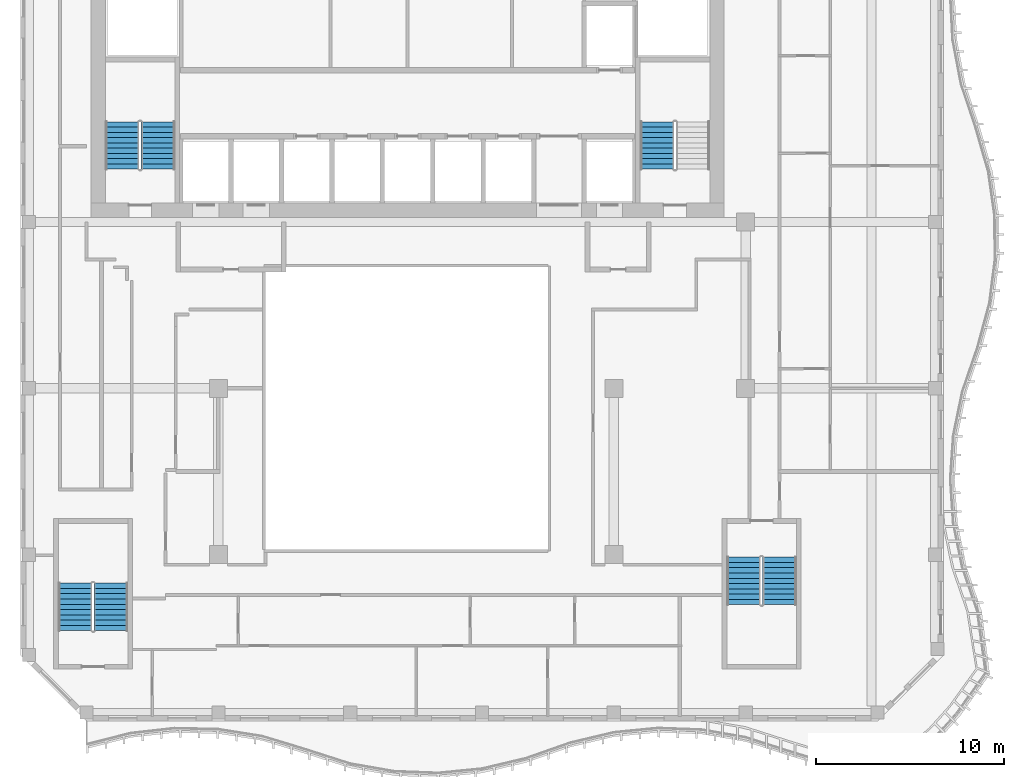
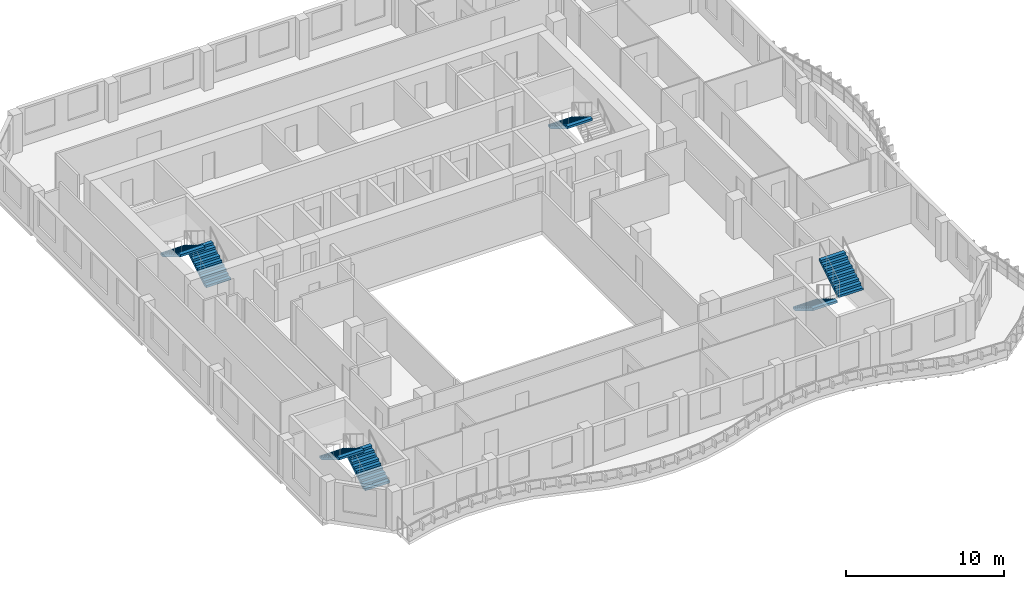
# One storey, part 9 of 13: 7 stair flights, 4 elements without a shape of their own.
"""IFC4 building model written with IfcOpenShell, lengths in metres."""

from ifc_helpers import new_model, si_unit, direction, frame, origin, place, context, subcontext, project, spatial, triangles, source, transform, mapped, material, type_object, element, aggregate, save


model = new_model("IFC4")

# Units and contexts
model_context = context("Model", 3, precision=1e-05, world=origin(), true_north=direction((0.0, 1.0)))
body_context = subcontext(model_context, "Body", "Model", "MODEL_VIEW")
ifc_project = project(units=[si_unit("LENGTHUNIT", "METRE"), si_unit("AREAUNIT", "SQUARE_METRE"), si_unit("VOLUMEUNIT", "CUBIC_METRE"), si_unit("PLANEANGLEUNIT", "RADIAN"), si_unit("MASSUNIT", "GRAM", prefix="KILO")], contexts=[model_context])

# Site, building, storey
site_placement = place(None, origin())
site = spatial("IfcSite", under=ifc_project, at=site_placement, CompositionType="ELEMENT")
building_placement = place(site_placement, origin())
building = spatial("IfcBuilding", under=site, at=building_placement, Name="Kilnfold Tower and Market Hall", CompositionType="ELEMENT")
storey_placement = place(building_placement, frame((0.0, 0.0, 259.39990234375)))
storey = spatial("IfcBuildingStorey", under=building, at=storey_placement, Name="L63", CompositionType="ELEMENT", Elevation=259.39990234375)

# Stair, stair flights
ifc_material_1 = material(Name="Concrete C40/50", Category="concrete")
stair_type = type_object("IfcStairType", Name="CORE STAIR 1800", PredefinedType="HALF_TURN_STAIR", material=ifc_material_1)
stair_1_placement = place(storey_placement, origin())
stair_1 = element("IfcStair", 1, at=stair_1_placement, inside=storey, type_object=stair_type, Name="L63 ST1", PredefinedType="HALF_TURN_STAIR")
ifc_material_2 = material(Name="Concrete C40/50", Category="concrete")
stair_flight_type = type_object("IfcStairFlightType", Name="CORE STAIR FLIGHT 1800", PredefinedType="STRAIGHT", material=ifc_material_2)
shared_shape = source(origin(), body_context, "Body", "Tessellation", [
    triangles([(0.0, 0.89990234375, 0.0), (0.0, 0.78759765625, 0.0), (0.0, 0.675048828125, 0.0), (0.0, 0.5625, 0.0), (0.0, 0.449951171875, 0.0), (0.0, 0.33740234375, 0.0), (0.0, 0.22509765625, 0.0), (0.0, 0.112548828125, 0.0), (0.0, 0.0, 0.0), (0.0, -0.112548828125, 0.0), (0.0, -0.22509765625, 0.0), (0.0, -0.33740234375, 0.0), (0.0, -0.449951171875, 0.0), (0.0, -0.5625, 0.0), (0.0, -0.675048828125, 0.0), (0.0, -0.78759765625, 0.0), (0.0, -0.89990234375, 0.0), (0.0, 0.89990234375, 0.169921875), (0.0, 0.78759765625, 0.169921875), (0.0, 0.675048828125, 0.169921875), (0.0, 0.5625, 0.169921875), (0.0, 0.449951171875, 0.169921875), (0.0, 0.33740234375, 0.169921875), (0.0, 0.22509765625, 0.169921875), (0.0, 0.112548828125, 0.169921875), (0.0, 0.0, 0.169921875), (0.0, -0.112548828125, 0.169921875), (0.0, -0.22509765625, 0.169921875), (0.0, -0.33740234375, 0.169921875), (0.0, -0.449951171875, 0.169921875), (0.0, -0.5625, 0.169921875), (0.0, -0.675048828125, 0.169921875), (0.0, -0.78759765625, 0.169921875), (0.0, -0.89990234375, 0.169921875), (0.280029296875, 0.89990234375, 0.169921875), (0.280029296875, 0.78759765625, 0.169921875), (0.280029296875, 0.675048828125, 0.169921875), (0.280029296875, 0.5625, 0.169921875), (0.280029296875, 0.449951171875, 0.169921875), (0.280029296875, 0.33740234375, 0.169921875), (0.280029296875, 0.22509765625, 0.169921875), (0.280029296875, 0.112548828125, 0.169921875), (0.280029296875, 0.0, 0.169921875), (0.280029296875, -0.112548828125, 0.169921875), (0.280029296875, -0.22509765625, 0.169921875), (0.280029296875, -0.33740234375, 0.169921875), (0.280029296875, -0.449951171875, 0.169921875), (0.280029296875, -0.5625, 0.169921875), (0.280029296875, -0.675048828125, 0.169921875), (0.280029296875, -0.78759765625, 0.169921875), (0.280029296875, -0.89990234375, 0.169921875), (0.280029296875, 0.89990234375, 0.340087890625), (0.280029296875, 0.78759765625, 0.340087890625), (0.280029296875, 0.675048828125, 0.340087890625), (0.280029296875, 0.5625, 0.340087890625), (0.280029296875, 0.449951171875, 0.340087890625), (0.280029296875, 0.33740234375, 0.340087890625), (0.280029296875, 0.22509765625, 0.340087890625), (0.280029296875, 0.112548828125, 0.340087890625), (0.280029296875, 0.0, 0.340087890625), (0.280029296875, -0.112548828125, 0.340087890625), (0.280029296875, -0.22509765625, 0.340087890625), (0.280029296875, -0.33740234375, 0.340087890625), (0.280029296875, -0.449951171875, 0.340087890625), (0.280029296875, -0.5625, 0.340087890625), (0.280029296875, -0.675048828125, 0.340087890625), (0.280029296875, -0.78759765625, 0.340087890625), (0.280029296875, -0.89990234375, 0.340087890625), (0.56005859375, 0.89990234375, 0.340087890625), (0.56005859375, 0.78759765625, 0.340087890625), (0.56005859375, 0.675048828125, 0.340087890625), (0.56005859375, 0.5625, 0.340087890625), (0.56005859375, 0.449951171875, 0.340087890625), (0.56005859375, 0.33740234375, 0.340087890625), (0.56005859375, 0.22509765625, 0.340087890625), (0.56005859375, 0.112548828125, 0.340087890625), (0.56005859375, 0.0, 0.340087890625), (0.56005859375, -0.112548828125, 0.340087890625), (0.56005859375, -0.22509765625, 0.340087890625), (0.56005859375, -0.33740234375, 0.340087890625), (0.56005859375, -0.449951171875, 0.340087890625), (0.56005859375, -0.5625, 0.340087890625), (0.56005859375, -0.675048828125, 0.340087890625), (0.56005859375, -0.78759765625, 0.340087890625), (0.56005859375, -0.89990234375, 0.340087890625), (0.56005859375, 0.89990234375, 0.510009765625), (0.56005859375, 0.78759765625, 0.510009765625), (0.56005859375, 0.675048828125, 0.510009765625), (0.56005859375, 0.5625, 0.510009765625), (0.56005859375, 0.449951171875, 0.510009765625), (0.56005859375, 0.33740234375, 0.510009765625), (0.56005859375, 0.22509765625, 0.510009765625), (0.56005859375, 0.112548828125, 0.510009765625), (0.56005859375, 0.0, 0.510009765625), (0.56005859375, -0.112548828125, 0.510009765625), (0.56005859375, -0.22509765625, 0.510009765625), (0.56005859375, -0.33740234375, 0.510009765625), (0.56005859375, -0.449951171875, 0.510009765625), (0.56005859375, -0.5625, 0.510009765625), (0.56005859375, -0.675048828125, 0.510009765625), (0.56005859375, -0.78759765625, 0.510009765625), (0.56005859375, -0.89990234375, 0.510009765625), (0.840087890625, 0.89990234375, 0.510009765625), (0.840087890625, 0.78759765625, 0.510009765625), (0.840087890625, 0.675048828125, 0.510009765625), (0.840087890625, 0.5625, 0.510009765625), (0.840087890625, 0.449951171875, 0.510009765625), (0.840087890625, 0.33740234375, 0.510009765625), (0.840087890625, 0.22509765625, 0.510009765625), (0.840087890625, 0.112548828125, 0.510009765625), (0.840087890625, 0.0, 0.510009765625), (0.840087890625, -0.112548828125, 0.510009765625), (0.840087890625, -0.22509765625, 0.510009765625), (0.840087890625, -0.33740234375, 0.510009765625), (0.840087890625, -0.449951171875, 0.510009765625), (0.840087890625, -0.5625, 0.510009765625), (0.840087890625, -0.675048828125, 0.510009765625), (0.840087890625, -0.78759765625, 0.510009765625), (0.840087890625, -0.89990234375, 0.510009765625), (0.840087890625, 0.89990234375, 0.679931640625), (0.840087890625, 0.78759765625, 0.679931640625), (0.840087890625, 0.675048828125, 0.679931640625), (0.840087890625, 0.5625, 0.679931640625), (0.840087890625, 0.449951171875, 0.679931640625), (0.840087890625, 0.33740234375, 0.679931640625), (0.840087890625, 0.22509765625, 0.679931640625), (0.840087890625, 0.112548828125, 0.679931640625), (0.840087890625, 0.0, 0.679931640625), (0.840087890625, -0.112548828125, 0.679931640625), (0.840087890625, -0.22509765625, 0.679931640625), (0.840087890625, -0.33740234375, 0.679931640625), (0.840087890625, -0.449951171875, 0.679931640625), (0.840087890625, -0.5625, 0.679931640625), (0.840087890625, -0.675048828125, 0.679931640625), (0.840087890625, -0.78759765625, 0.679931640625), (0.840087890625, -0.89990234375, 0.679931640625), (1.1201171875, 0.89990234375, 0.679931640625), (1.1201171875, 0.78759765625, 0.679931640625), (1.1201171875, 0.675048828125, 0.679931640625), (1.1201171875, 0.5625, 0.679931640625), (1.1201171875, 0.449951171875, 0.679931640625), (1.1201171875, 0.33740234375, 0.679931640625), (1.1201171875, 0.22509765625, 0.679931640625), (1.1201171875, 0.112548828125, 0.679931640625), (1.1201171875, 0.0, 0.679931640625), (1.1201171875, -0.112548828125, 0.679931640625), (1.1201171875, -0.22509765625, 0.679931640625), (1.1201171875, -0.33740234375, 0.679931640625), (1.1201171875, -0.449951171875, 0.679931640625), (1.1201171875, -0.5625, 0.679931640625), (1.1201171875, -0.675048828125, 0.679931640625), (1.1201171875, -0.78759765625, 0.679931640625), (1.1201171875, -0.89990234375, 0.679931640625), (1.1201171875, 0.89990234375, 0.85009765625), (1.1201171875, 0.78759765625, 0.85009765625), (1.1201171875, 0.675048828125, 0.85009765625), (1.1201171875, 0.5625, 0.85009765625), (1.1201171875, 0.449951171875, 0.85009765625), (1.1201171875, 0.33740234375, 0.85009765625), (1.1201171875, 0.22509765625, 0.85009765625), (1.1201171875, 0.112548828125, 0.85009765625), (1.1201171875, 0.0, 0.85009765625), (1.1201171875, -0.112548828125, 0.85009765625), (1.1201171875, -0.22509765625, 0.85009765625), (1.1201171875, -0.33740234375, 0.85009765625), (1.1201171875, -0.449951171875, 0.85009765625), (1.1201171875, -0.5625, 0.85009765625), (1.1201171875, -0.675048828125, 0.85009765625), (1.1201171875, -0.78759765625, 0.85009765625), (1.1201171875, -0.89990234375, 0.85009765625), (1.39990234375, 0.89990234375, 0.85009765625), (1.39990234375, 0.78759765625, 0.85009765625), (1.39990234375, 0.675048828125, 0.85009765625), (1.39990234375, 0.5625, 0.85009765625), (1.39990234375, 0.449951171875, 0.85009765625), (1.39990234375, 0.33740234375, 0.85009765625), (1.39990234375, 0.22509765625, 0.85009765625), (1.39990234375, 0.112548828125, 0.85009765625), (1.39990234375, 0.0, 0.85009765625), (1.39990234375, -0.112548828125, 0.85009765625), (1.39990234375, -0.22509765625, 0.85009765625), (1.39990234375, -0.33740234375, 0.85009765625), (1.39990234375, -0.449951171875, 0.85009765625), (1.39990234375, -0.5625, 0.85009765625), (1.39990234375, -0.675048828125, 0.85009765625), (1.39990234375, -0.78759765625, 0.85009765625), (1.39990234375, -0.89990234375, 0.85009765625), (1.39990234375, 0.89990234375, 1.02001953125), (1.39990234375, 0.78759765625, 1.02001953125), (1.39990234375, 0.675048828125, 1.02001953125), (1.39990234375, 0.5625, 1.02001953125), (1.39990234375, 0.449951171875, 1.02001953125), (1.39990234375, 0.33740234375, 1.02001953125), (1.39990234375, 0.22509765625, 1.02001953125), (1.39990234375, 0.112548828125, 1.02001953125), (1.39990234375, 0.0, 1.02001953125), (1.39990234375, -0.112548828125, 1.02001953125), (1.39990234375, -0.22509765625, 1.02001953125), (1.39990234375, -0.33740234375, 1.02001953125), (1.39990234375, -0.449951171875, 1.02001953125), (1.39990234375, -0.5625, 1.02001953125), (1.39990234375, -0.675048828125, 1.02001953125), (1.39990234375, -0.78759765625, 1.02001953125), (1.39990234375, -0.89990234375, 1.02001953125), (1.679931640625, 0.89990234375, 1.02001953125), (1.679931640625, 0.78759765625, 1.02001953125), (1.679931640625, 0.675048828125, 1.02001953125), (1.679931640625, 0.5625, 1.02001953125), (1.679931640625, 0.449951171875, 1.02001953125), (1.679931640625, 0.33740234375, 1.02001953125), (1.679931640625, 0.22509765625, 1.02001953125), (1.679931640625, 0.112548828125, 1.02001953125), (1.679931640625, 0.0, 1.02001953125), (1.679931640625, -0.112548828125, 1.02001953125), (1.679931640625, -0.22509765625, 1.02001953125), (1.679931640625, -0.33740234375, 1.02001953125), (1.679931640625, -0.449951171875, 1.02001953125), (1.679931640625, -0.5625, 1.02001953125), (1.679931640625, -0.675048828125, 1.02001953125), (1.679931640625, -0.78759765625, 1.02001953125), (1.679931640625, -0.89990234375, 1.02001953125), (1.679931640625, 0.89990234375, 1.18994140625), (1.679931640625, 0.78759765625, 1.18994140625), (1.679931640625, 0.675048828125, 1.18994140625), (1.679931640625, 0.5625, 1.18994140625), (1.679931640625, 0.449951171875, 1.18994140625), (1.679931640625, 0.33740234375, 1.18994140625), (1.679931640625, 0.22509765625, 1.18994140625), (1.679931640625, 0.112548828125, 1.18994140625), (1.679931640625, 0.0, 1.18994140625), (1.679931640625, -0.112548828125, 1.18994140625), (1.679931640625, -0.22509765625, 1.18994140625), (1.679931640625, -0.33740234375, 1.18994140625), (1.679931640625, -0.449951171875, 1.18994140625), (1.679931640625, -0.5625, 1.18994140625), (1.679931640625, -0.675048828125, 1.18994140625), (1.679931640625, -0.78759765625, 1.18994140625), (1.679931640625, -0.89990234375, 1.18994140625), (1.9599609375, 0.89990234375, 1.18994140625), (1.9599609375, 0.78759765625, 1.18994140625), (1.9599609375, 0.675048828125, 1.18994140625), (1.9599609375, 0.5625, 1.18994140625), (1.9599609375, 0.449951171875, 1.18994140625), (1.9599609375, 0.33740234375, 1.18994140625), (1.9599609375, 0.22509765625, 1.18994140625), (1.9599609375, 0.112548828125, 1.18994140625), (1.9599609375, 0.0, 1.18994140625), (1.9599609375, -0.112548828125, 1.18994140625), (1.9599609375, -0.22509765625, 1.18994140625), (1.9599609375, -0.33740234375, 1.18994140625), (1.9599609375, -0.449951171875, 1.18994140625), (1.9599609375, -0.5625, 1.18994140625), (1.9599609375, -0.675048828125, 1.18994140625), (1.9599609375, -0.78759765625, 1.18994140625), (1.9599609375, -0.89990234375, 1.18994140625), (1.9599609375, 0.89990234375, 1.360107421875), (1.9599609375, 0.78759765625, 1.360107421875), (1.9599609375, 0.675048828125, 1.360107421875), (1.9599609375, 0.5625, 1.360107421875), (1.9599609375, 0.449951171875, 1.360107421875), (1.9599609375, 0.33740234375, 1.360107421875), (1.9599609375, 0.22509765625, 1.360107421875), (1.9599609375, 0.112548828125, 1.360107421875), (1.9599609375, 0.0, 1.360107421875), (1.9599609375, -0.112548828125, 1.360107421875), (1.9599609375, -0.22509765625, 1.360107421875), (1.9599609375, -0.33740234375, 1.360107421875), (1.9599609375, -0.449951171875, 1.360107421875), (1.9599609375, -0.5625, 1.360107421875), (1.9599609375, -0.675048828125, 1.360107421875), (1.9599609375, -0.78759765625, 1.360107421875), (1.9599609375, -0.89990234375, 1.360107421875), (2.239990234375, 0.89990234375, 1.360107421875), (2.239990234375, 0.78759765625, 1.360107421875), (2.239990234375, 0.675048828125, 1.360107421875), (2.239990234375, 0.5625, 1.360107421875), (2.239990234375, 0.449951171875, 1.360107421875), (2.239990234375, 0.33740234375, 1.360107421875), (2.239990234375, 0.22509765625, 1.360107421875), (2.239990234375, 0.112548828125, 1.360107421875), (2.239990234375, 0.0, 1.360107421875), (2.239990234375, -0.112548828125, 1.360107421875), (2.239990234375, -0.22509765625, 1.360107421875), (2.239990234375, -0.33740234375, 1.360107421875), (2.239990234375, -0.449951171875, 1.360107421875), (2.239990234375, -0.5625, 1.360107421875), (2.239990234375, -0.675048828125, 1.360107421875), (2.239990234375, -0.78759765625, 1.360107421875), (2.239990234375, -0.89990234375, 1.360107421875), (2.239990234375, 0.89990234375, 1.530029296875), (2.239990234375, 0.78759765625, 1.530029296875), (2.239990234375, 0.675048828125, 1.530029296875), (2.239990234375, 0.5625, 1.530029296875), (2.239990234375, 0.449951171875, 1.530029296875), (2.239990234375, 0.33740234375, 1.530029296875), (2.239990234375, 0.22509765625, 1.530029296875), (2.239990234375, 0.112548828125, 1.530029296875), (2.239990234375, 0.0, 1.530029296875), (2.239990234375, -0.112548828125, 1.530029296875), (2.239990234375, -0.22509765625, 1.530029296875), (2.239990234375, -0.33740234375, 1.530029296875), (2.239990234375, -0.449951171875, 1.530029296875), (2.239990234375, -0.5625, 1.530029296875), (2.239990234375, -0.675048828125, 1.530029296875), (2.239990234375, -0.78759765625, 1.530029296875), (2.239990234375, -0.89990234375, 1.530029296875), (2.52001953125, 0.89990234375, 1.530029296875), (2.52001953125, 0.78759765625, 1.530029296875), (2.52001953125, 0.675048828125, 1.530029296875), (2.52001953125, 0.5625, 1.530029296875), (2.52001953125, 0.449951171875, 1.530029296875), (2.52001953125, 0.33740234375, 1.530029296875), (2.52001953125, 0.22509765625, 1.530029296875), (2.52001953125, 0.112548828125, 1.530029296875), (2.52001953125, 0.0, 1.530029296875), (2.52001953125, -0.112548828125, 1.530029296875), (2.52001953125, -0.22509765625, 1.530029296875), (2.52001953125, -0.33740234375, 1.530029296875), (2.52001953125, -0.449951171875, 1.530029296875), (2.52001953125, -0.5625, 1.530029296875), (2.52001953125, -0.675048828125, 1.530029296875), (2.52001953125, -0.78759765625, 1.530029296875), (2.52001953125, -0.89990234375, 1.530029296875), (2.52001953125, 0.89990234375, 1.354736328125), (2.52001953125, 0.78759765625, 1.354736328125), (2.52001953125, 0.675048828125, 1.354736328125), (2.52001953125, 0.5625, 1.354736328125), (2.52001953125, 0.449951171875, 1.354736328125), (2.52001953125, 0.33740234375, 1.354736328125), (2.52001953125, 0.22509765625, 1.354736328125), (2.52001953125, 0.112548828125, 1.354736328125), (2.52001953125, 0.0, 1.354736328125), (2.52001953125, -0.112548828125, 1.354736328125), (2.52001953125, -0.22509765625, 1.354736328125), (2.52001953125, -0.33740234375, 1.354736328125), (2.52001953125, -0.449951171875, 1.354736328125), (2.52001953125, -0.5625, 1.354736328125), (2.52001953125, -0.675048828125, 1.354736328125), (2.52001953125, -0.78759765625, 1.354736328125), (2.52001953125, -0.89990234375, 1.354736328125), (0.288818359375, 0.89990234375, 0.0), (0.288818359375, 0.78759765625, 0.0), (0.288818359375, 0.675048828125, 0.0), (0.288818359375, 0.5625, 0.0), (0.288818359375, 0.449951171875, 0.0), (0.288818359375, 0.33740234375, 0.0), (0.288818359375, 0.22509765625, 0.0), (0.288818359375, 0.112548828125, 0.0), (0.288818359375, 0.0, 0.0), (0.288818359375, -0.112548828125, 0.0), (0.288818359375, -0.22509765625, 0.0), (0.288818359375, -0.33740234375, 0.0), (0.288818359375, -0.449951171875, 0.0), (0.288818359375, -0.5625, 0.0), (0.288818359375, -0.675048828125, 0.0), (0.288818359375, -0.78759765625, 0.0), (0.288818359375, -0.89990234375, 0.0)], [[1, 324, 341], [17, 357, 340], [324, 290, 307], [340, 323, 306], [324, 273, 290], [340, 306, 289], [324, 256, 273], [340, 289, 272], [324, 239, 256], [340, 272, 255], [239, 205, 222], [255, 238, 221], [324, 205, 239], [340, 255, 221], [205, 171, 188], [221, 204, 187], [324, 171, 205], [340, 221, 187], [171, 137, 154], [187, 170, 153], [324, 137, 171], [340, 187, 153], [137, 103, 120], [153, 136, 119], [324, 103, 137], [340, 153, 119], [103, 69, 86], [119, 102, 85], [324, 69, 103], [340, 119, 85], [69, 35, 52], [85, 68, 51], [324, 35, 69], [340, 85, 51], [1, 35, 324], [17, 340, 51], [35, 1, 18], [51, 34, 17], [1, 19, 18], [1, 2, 19], [2, 20, 19], [2, 3, 20], [3, 21, 20], [3, 4, 21], [4, 22, 21], [4, 5, 22], [5, 23, 22], [5, 6, 23], [6, 24, 23], [6, 7, 24], [7, 25, 24], [7, 8, 25], [8, 26, 25], [8, 9, 26], [9, 27, 26], [9, 10, 27], [10, 28, 27], [10, 11, 28], [11, 29, 28], [11, 12, 29], [12, 30, 29], [12, 13, 30], [13, 31, 30], [13, 14, 31], [14, 32, 31], [14, 15, 32], [15, 33, 32], [15, 16, 33], [16, 34, 33], [16, 17, 34], [18, 36, 35], [18, 19, 36], [19, 37, 36], [19, 20, 37], [20, 38, 37], [20, 21, 38], [21, 39, 38], [21, 22, 39], [22, 40, 39], [22, 23, 40], [23, 41, 40], [23, 24, 41], [24, 42, 41], [24, 25, 42], [25, 43, 42], [25, 26, 43], [26, 44, 43], [26, 27, 44], [27, 45, 44], [27, 28, 45], [28, 46, 45], [28, 29, 46], [29, 47, 46], [29, 30, 47], [30, 48, 47], [30, 31, 48], [31, 49, 48], [31, 32, 49], [32, 50, 49], [32, 33, 50], [33, 51, 50], [33, 34, 51], [35, 53, 52], [35, 36, 53], [36, 54, 53], [36, 37, 54], [37, 55, 54], [37, 38, 55], [38, 56, 55], [38, 39, 56], [39, 57, 56], [39, 40, 57], [40, 58, 57], [40, 41, 58], [41, 59, 58], [41, 42, 59], [42, 60, 59], [42, 43, 60], [43, 61, 60], [43, 44, 61], [44, 62, 61], [44, 45, 62], [45, 63, 62], [45, 46, 63], [46, 64, 63], [46, 47, 64], [47, 65, 64], [47, 48, 65], [48, 66, 65], [48, 49, 66], [49, 67, 66], [49, 50, 67], [50, 68, 67], [50, 51, 68], [52, 70, 69], [52, 53, 70], [53, 71, 70], [53, 54, 71], [54, 72, 71], [54, 55, 72], [55, 73, 72], [55, 56, 73], [56, 74, 73], [56, 57, 74], [57, 75, 74], [57, 58, 75], [58, 76, 75], [58, 59, 76], [59, 77, 76], [59, 60, 77], [60, 78, 77], [60, 61, 78], [61, 79, 78], [61, 62, 79], [62, 80, 79], [62, 63, 80], [63, 81, 80], [63, 64, 81], [64, 82, 81], [64, 65, 82], [65, 83, 82], [65, 66, 83], [66, 84, 83], [66, 67, 84], [67, 85, 84], [67, 68, 85], [69, 87, 86], [69, 70, 87], [70, 88, 87], [70, 71, 88], [71, 89, 88], [71, 72, 89], [72, 90, 89], [72, 73, 90], [73, 91, 90], [73, 74, 91], [74, 92, 91], [74, 75, 92], [75, 93, 92], [75, 76, 93], [76, 94, 93], [76, 77, 94], [77, 95, 94], [77, 78, 95], [78, 96, 95], [78, 79, 96], [79, 97, 96], [79, 80, 97], [80, 98, 97], [80, 81, 98], [81, 99, 98], [81, 82, 99], [82, 100, 99], [82, 83, 100], [83, 101, 100], [83, 84, 101], [84, 102, 101], [84, 85, 102], [86, 104, 103], [86, 87, 104], [87, 105, 104], [87, 88, 105], [88, 106, 105], [88, 89, 106], [89, 107, 106], [89, 90, 107], [90, 108, 107], [90, 91, 108], [91, 109, 108], [91, 92, 109], [92, 110, 109], [92, 93, 110], [93, 111, 110], [93, 94, 111], [94, 112, 111], [94, 95, 112], [95, 113, 112], [95, 96, 113], [96, 114, 113], [96, 97, 114], [97, 115, 114], [97, 98, 115], [98, 116, 115], [98, 99, 116], [99, 117, 116], [99, 100, 117], [100, 118, 117], [100, 101, 118], [101, 119, 118], [101, 102, 119], [103, 121, 120], [103, 104, 121], [104, 122, 121], [104, 105, 122], [105, 123, 122], [105, 106, 123], [106, 124, 123], [106, 107, 124], [107, 125, 124], [107, 108, 125], [108, 126, 125], [108, 109, 126], [109, 127, 126], [109, 110, 127], [110, 128, 127], [110, 111, 128], [111, 129, 128], [111, 112, 129], [112, 130, 129], [112, 113, 130], [113, 131, 130], [113, 114, 131], [114, 132, 131], [114, 115, 132], [115, 133, 132], [115, 116, 133], [116, 134, 133], [116, 117, 134], [117, 135, 134], [117, 118, 135], [118, 136, 135], [118, 119, 136], [120, 138, 137], [120, 121, 138], [121, 139, 138], [121, 122, 139], [122, 140, 139], [122, 123, 140], [123, 141, 140], [123, 124, 141], [124, 142, 141], [124, 125, 142], [125, 143, 142], [125, 126, 143], [126, 144, 143], [126, 127, 144], [127, 145, 144], [127, 128, 145], [128, 146, 145], [128, 129, 146], [129, 147, 146], [129, 130, 147], [130, 148, 147], [130, 131, 148], [131, 149, 148], [131, 132, 149], [132, 150, 149], [132, 133, 150], [133, 151, 150], [133, 134, 151], [134, 152, 151], [134, 135, 152], [135, 153, 152], [135, 136, 153], [137, 155, 154], [137, 138, 155], [138, 156, 155], [138, 139, 156], [139, 157, 156], [139, 140, 157], [140, 158, 157], [140, 141, 158], [141, 159, 158], [141, 142, 159], [142, 160, 159], [142, 143, 160], [143, 161, 160], [143, 144, 161], [144, 162, 161], [144, 145, 162], [145, 163, 162], [145, 146, 163], [146, 164, 163], [146, 147, 164], [147, 165, 164], [147, 148, 165], [148, 166, 165], [148, 149, 166], [149, 167, 166], [149, 150, 167], [150, 168, 167], [150, 151, 168], [151, 169, 168], [151, 152, 169], [152, 170, 169], [152, 153, 170], [154, 172, 171], [154, 155, 172], [155, 173, 172], [155, 156, 173], [156, 174, 173], [156, 157, 174], [157, 175, 174], [157, 158, 175], [158, 176, 175], [158, 159, 176], [159, 177, 176], [159, 160, 177], [160, 178, 177], [160, 161, 178], [161, 179, 178], [161, 162, 179], [162, 180, 179], [162, 163, 180], [163, 181, 180], [163, 164, 181], [164, 182, 181], [164, 165, 182], [165, 183, 182], [165, 166, 183], [166, 184, 183], [166, 167, 184], [167, 185, 184], [167, 168, 185], [168, 186, 185], [168, 169, 186], [169, 187, 186], [169, 170, 187], [171, 189, 188], [171, 172, 189], [172, 190, 189], [172, 173, 190], [173, 191, 190], [173, 174, 191], [174, 192, 191], [174, 175, 192], [175, 193, 192], [175, 176, 193], [176, 194, 193], [176, 177, 194], [177, 195, 194], [177, 178, 195], [178, 196, 195], [178, 179, 196], [179, 197, 196], [179, 180, 197], [180, 198, 197], [180, 181, 198], [181, 199, 198], [181, 182, 199], [182, 200, 199], [182, 183, 200], [183, 201, 200], [183, 184, 201], [184, 202, 201], [184, 185, 202], [185, 203, 202], [185, 186, 203], [186, 204, 203], [186, 187, 204], [188, 206, 205], [188, 189, 206], [189, 207, 206], [189, 190, 207], [190, 208, 207], [190, 191, 208], [191, 209, 208], [191, 192, 209], [192, 210, 209], [192, 193, 210], [193, 211, 210], [193, 194, 211], [194, 212, 211], [194, 195, 212], [195, 213, 212], [195, 196, 213], [196, 214, 213], [196, 197, 214], [197, 215, 214], [197, 198, 215], [198, 216, 215], [198, 199, 216], [199, 217, 216], [199, 200, 217], [200, 218, 217], [200, 201, 218], [201, 219, 218], [201, 202, 219], [202, 220, 219], [202, 203, 220], [203, 221, 220], [203, 204, 221], [205, 223, 222], [205, 206, 223], [206, 224, 223], [206, 207, 224], [207, 225, 224], [207, 208, 225], [208, 226, 225], [208, 209, 226], [209, 227, 226], [209, 210, 227], [210, 228, 227], [210, 211, 228], [211, 229, 228], [211, 212, 229], [212, 230, 229], [212, 213, 230], [213, 231, 230], [213, 214, 231], [214, 232, 231], [214, 215, 232], [215, 233, 232], [215, 216, 233], [216, 234, 233], [216, 217, 234], [217, 235, 234], [217, 218, 235], [218, 236, 235], [218, 219, 236], [219, 237, 236], [219, 220, 237], [220, 238, 237], [220, 221, 238], [222, 240, 239], [222, 223, 240], [223, 241, 240], [223, 224, 241], [224, 242, 241], [224, 225, 242], [225, 243, 242], [225, 226, 243], [226, 244, 243], [226, 227, 244], [227, 245, 244], [227, 228, 245], [228, 246, 245], [228, 229, 246], [229, 247, 246], [229, 230, 247], [230, 248, 247], [230, 231, 248], [231, 249, 248], [231, 232, 249], [232, 250, 249], [232, 233, 250], [233, 251, 250], [233, 234, 251], [234, 252, 251], [234, 235, 252], [235, 253, 252], [235, 236, 253], [236, 254, 253], [236, 237, 254], [237, 255, 254], [237, 238, 255], [239, 257, 256], [239, 240, 257], [240, 258, 257], [240, 241, 258], [241, 259, 258], [241, 242, 259], [242, 260, 259], [242, 243, 260], [243, 261, 260], [243, 244, 261], [244, 262, 261], [244, 245, 262], [245, 263, 262], [245, 246, 263], [246, 264, 263], [246, 247, 264], [247, 265, 264], [247, 248, 265], [248, 266, 265], [248, 249, 266], [249, 267, 266], [249, 250, 267], [250, 268, 267], [250, 251, 268], [251, 269, 268], [251, 252, 269], [252, 270, 269], [252, 253, 270], [253, 271, 270], [253, 254, 271], [254, 272, 271], [254, 255, 272], [256, 274, 273], [256, 257, 274], [257, 275, 274], [257, 258, 275], [258, 276, 275], [258, 259, 276], [259, 277, 276], [259, 260, 277], [260, 278, 277], [260, 261, 278], [261, 279, 278], [261, 262, 279], [262, 280, 279], [262, 263, 280], [263, 281, 280], [263, 264, 281], [264, 282, 281], [264, 265, 282], [265, 283, 282], [265, 266, 283], [266, 284, 283], [266, 267, 284], [267, 285, 284], [267, 268, 285], [268, 286, 285], [268, 269, 286], [269, 287, 286], [269, 270, 287], [270, 288, 287], [270, 271, 288], [271, 289, 288], [271, 272, 289], [273, 291, 290], [273, 274, 291], [274, 292, 291], [274, 275, 292], [275, 293, 292], [275, 276, 293], [276, 294, 293], [276, 277, 294], [277, 295, 294], [277, 278, 295], [278, 296, 295], [278, 279, 296], [279, 297, 296], [279, 280, 297], [280, 298, 297], [280, 281, 298], [281, 299, 298], [281, 282, 299], [282, 300, 299], [282, 283, 300], [283, 301, 300], [283, 284, 301], [284, 302, 301], [284, 285, 302], [285, 303, 302], [285, 286, 303], [286, 304, 303], [286, 287, 304], [287, 305, 304], [287, 288, 305], [288, 306, 305], [288, 289, 306], [290, 308, 307], [290, 291, 308], [291, 309, 308], [291, 292, 309], [292, 310, 309], [292, 293, 310], [293, 311, 310], [293, 294, 311], [294, 312, 311], [294, 295, 312], [295, 313, 312], [295, 296, 313], [296, 314, 313], [296, 297, 314], [297, 315, 314], [297, 298, 315], [298, 316, 315], [298, 299, 316], [299, 317, 316], [299, 300, 317], [300, 318, 317], [300, 301, 318], [301, 319, 318], [301, 302, 319], [302, 320, 319], [302, 303, 320], [303, 321, 320], [303, 304, 321], [304, 322, 321], [304, 305, 322], [305, 323, 322], [305, 306, 323], [307, 325, 324], [307, 308, 325], [308, 326, 325], [308, 309, 326], [309, 327, 326], [309, 310, 327], [310, 328, 327], [310, 311, 328], [311, 329, 328], [311, 312, 329], [312, 330, 329], [312, 313, 330], [313, 331, 330], [313, 314, 331], [314, 332, 331], [314, 315, 332], [315, 333, 332], [315, 316, 333], [316, 334, 333], [316, 317, 334], [317, 335, 334], [317, 318, 335], [318, 336, 335], [318, 319, 336], [319, 337, 336], [319, 320, 337], [320, 338, 337], [320, 321, 338], [321, 339, 338], [321, 322, 339], [322, 340, 339], [322, 323, 340], [324, 342, 341], [324, 325, 342], [325, 343, 342], [325, 326, 343], [326, 344, 343], [326, 327, 344], [327, 345, 344], [327, 328, 345], [328, 346, 345], [328, 329, 346], [329, 347, 346], [329, 330, 347], [330, 348, 347], [330, 331, 348], [331, 349, 348], [331, 332, 349], [332, 350, 349], [332, 333, 350], [333, 351, 350], [333, 334, 351], [334, 352, 351], [334, 335, 352], [335, 353, 352], [335, 336, 353], [336, 354, 353], [336, 337, 354], [337, 355, 354], [337, 338, 355], [338, 356, 355], [338, 339, 356], [339, 357, 356], [339, 340, 357], [341, 2, 1], [341, 342, 2], [342, 3, 2], [342, 343, 3], [343, 4, 3], [343, 344, 4], [344, 5, 4], [344, 345, 5], [345, 6, 5], [345, 346, 6], [346, 7, 6], [346, 347, 7], [347, 8, 7], [347, 348, 8], [348, 9, 8], [348, 349, 9], [349, 10, 9], [349, 350, 10], [350, 11, 10], [350, 351, 11], [351, 12, 11], [351, 352, 12], [352, 13, 12], [352, 353, 13], [353, 14, 13], [353, 354, 14], [354, 15, 14], [354, 355, 15], [355, 16, 15], [355, 356, 16], [356, 17, 16], [356, 357, 17]], closed=True),
])
stair_flight_1_placement = place(storey_placement, frame((-12.199951171875, 10.800048828125, 0.0), z_axis=(0.0, 0.0, 1.0), x_axis=(0.0, 1.0, 0.0)))
stair_flight_1 = element("IfcStairFlight", 2, at=stair_flight_1_placement, type_object=stair_flight_type, Name="ST1 flight 1", NumberOfRisers=10, NumberOfTreads=9, PredefinedType="STRAIGHT", RiserHeight=0.17, TreadLength=0.28, context=body_context, shape_type="MappedRepresentation", body=[
    mapped(shared_shape, transform((0.0, 0.0, 0.0))),
])
stair_flight_2_placement = place(storey_placement, frame((-14.10009765625, 13.320068359375, 1.7001953125), z_axis=(0.0, 0.0, 1.0), x_axis=(0.0, -1.0, 0.0)))
stair_flight_2 = element("IfcStairFlight", 3, at=stair_flight_2_placement, type_object=stair_flight_type, Name="ST1 flight 2", NumberOfRisers=10, NumberOfTreads=9, PredefinedType="STRAIGHT", RiserHeight=0.17, TreadLength=0.28, context=body_context, shape_type="MappedRepresentation", body=[
    mapped(shared_shape, transform((0.0, 0.0, 0.0))),
])
aggregate(stair_1, [stair_flight_1, stair_flight_2])

# Stair, stair flight
stair_2_placement = place(storey_placement, origin())
stair_2 = element("IfcStair", 4, at=stair_2_placement, inside=storey, type_object=stair_type, Name="L63 ST2", PredefinedType="HALF_TURN_STAIR")
stair_flight_3_placement = place(storey_placement, frame((14.300048828125, 13.320068359375, 1.7001953125), z_axis=(0.0, 0.0, 1.0), x_axis=(0.0, -1.0, 0.0)))
stair_flight_3 = element("IfcStairFlight", 5, at=stair_flight_3_placement, type_object=stair_flight_type, Name="ST2 flight 2", NumberOfRisers=10, NumberOfTreads=9, PredefinedType="STRAIGHT", RiserHeight=0.17, TreadLength=0.28, context=body_context, shape_type="MappedRepresentation", body=[
    mapped(shared_shape, transform((0.0, 0.0, 0.0))),
])
aggregate(stair_2, [stair_flight_3])

# Stair, stair flights
stair_3_placement = place(storey_placement, origin())
stair_3 = element("IfcStair", 6, at=stair_3_placement, inside=storey, type_object=stair_type, Name="L63 ST3", PredefinedType="HALF_TURN_STAIR")
stair_flight_4_placement = place(storey_placement, frame((-14.699951171875, -13.699951171875, 0.0), z_axis=(0.0, 0.0, 1.0), x_axis=(0.0, 1.0, 0.0)))
stair_flight_4 = element("IfcStairFlight", 7, at=stair_flight_4_placement, type_object=stair_flight_type, Name="ST3 flight 1", NumberOfRisers=10, NumberOfTreads=9, PredefinedType="STRAIGHT", RiserHeight=0.17, TreadLength=0.28, context=body_context, shape_type="MappedRepresentation", body=[
    mapped(shared_shape, transform((0.0, 0.0, 0.0))),
])
stair_flight_5_placement = place(storey_placement, frame((-16.60009765625, -11.179931640625, 1.7001953125), z_axis=(0.0, 0.0, 1.0), x_axis=(0.0, -1.0, 0.0)))
stair_flight_5 = element("IfcStairFlight", 8, at=stair_flight_5_placement, type_object=stair_flight_type, Name="ST3 flight 2", NumberOfRisers=10, NumberOfTreads=9, PredefinedType="STRAIGHT", RiserHeight=0.17, TreadLength=0.28, context=body_context, shape_type="MappedRepresentation", body=[
    mapped(shared_shape, transform((0.0, 0.0, 0.0))),
])
aggregate(stair_3, [stair_flight_4, stair_flight_5])

stair_4_placement = place(storey_placement, origin())
stair_4 = element("IfcStair", 9, at=stair_4_placement, inside=storey, type_object=stair_type, Name="L63 ST4", PredefinedType="HALF_TURN_STAIR")
stair_flight_6_placement = place(storey_placement, frame((18.89990234375, -9.800048828125, 0.0), z_axis=(0.0, 0.0, 1.0), x_axis=(0.0, -1.0, 0.0)))
stair_flight_6 = element("IfcStairFlight", 10, at=stair_flight_6_placement, type_object=stair_flight_type, Name="ST4 flight 1", NumberOfRisers=10, NumberOfTreads=9, PredefinedType="STRAIGHT", RiserHeight=0.17, TreadLength=0.28, context=body_context, shape_type="MappedRepresentation", body=[
    mapped(shared_shape, transform((0.0, 0.0, 0.0))),
])
stair_flight_7_placement = place(storey_placement, frame((20.800048828125, -12.320068359375, 1.7001953125), z_axis=(0.0, 0.0, 1.0), x_axis=(0.0, 1.0, 0.0)))
stair_flight_7 = element("IfcStairFlight", 11, at=stair_flight_7_placement, type_object=stair_flight_type, Name="ST4 flight 2", NumberOfRisers=10, NumberOfTreads=9, PredefinedType="STRAIGHT", RiserHeight=0.17, TreadLength=0.28, context=body_context, shape_type="MappedRepresentation", body=[
    mapped(shared_shape, transform((0.0, 0.0, 0.0))),
])
aggregate(stair_4, [stair_flight_6, stair_flight_7])

save(model, "model.ifc")
